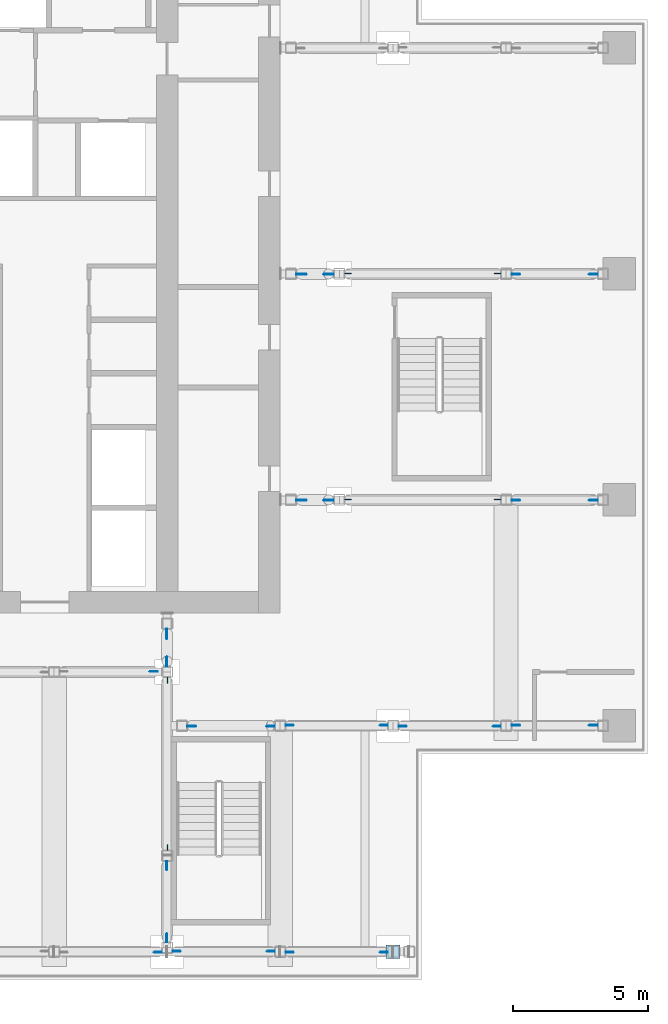
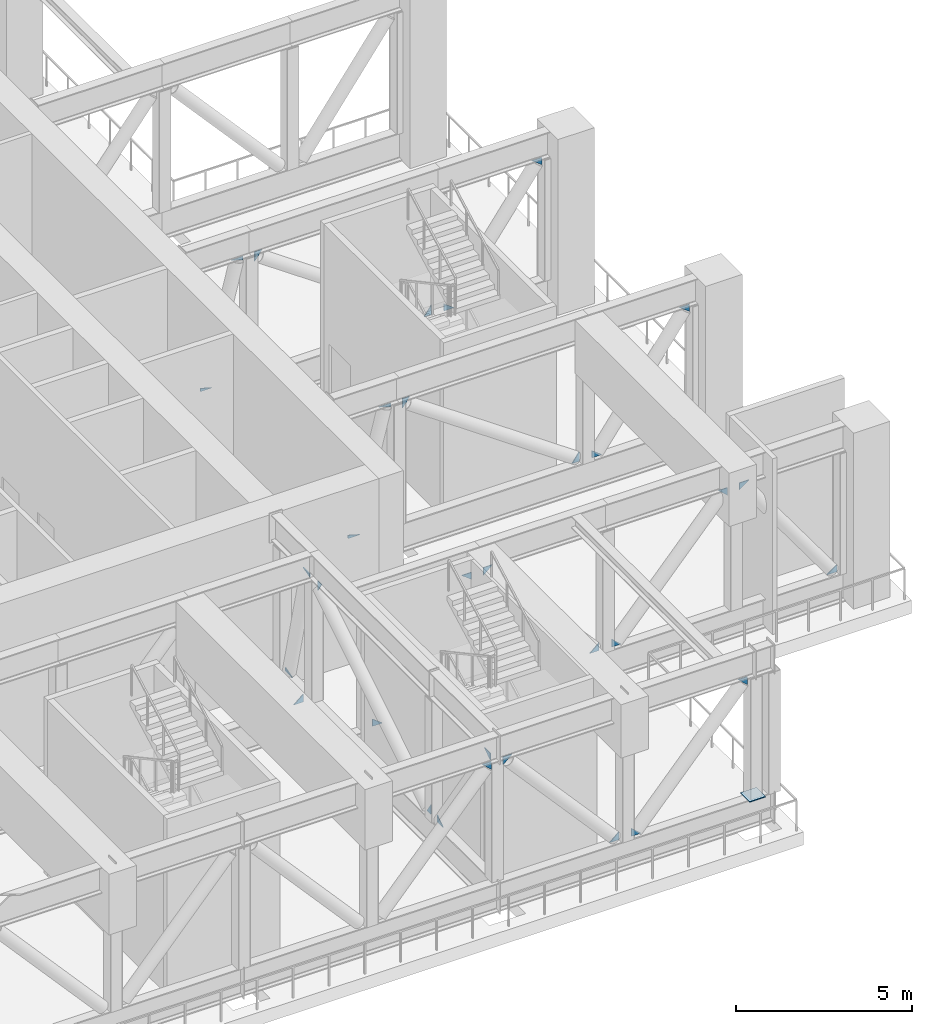
# One storey, part 13 of 23: 33 plates.
"""IFC4 building model written with IfcOpenShell, lengths in metres."""

from ifc_helpers import new_model, si_unit, direction, frame, origin, origin_2d, place, context, subcontext, project, spatial, polyline, rectangle, outline, extrude, material, layer, layer_set, type_object, element, save


model = new_model("IFC4")

# Units and contexts
model_context = context("Model", 3, precision=1e-05, world=origin(), true_north=direction((0.0, 1.0)))
body_context = subcontext(model_context, "Body", "Model", "MODEL_VIEW")
ifc_project = project(units=[si_unit("LENGTHUNIT", "METRE"), si_unit("AREAUNIT", "SQUARE_METRE"), si_unit("VOLUMEUNIT", "CUBIC_METRE"), si_unit("PLANEANGLEUNIT", "RADIAN"), si_unit("MASSUNIT", "GRAM", prefix="KILO")], contexts=[model_context])

# Site, building, storey
site_placement = place(None, origin())
site = spatial("IfcSite", under=ifc_project, at=site_placement, CompositionType="ELEMENT")
building_placement = place(site_placement, origin())
building = spatial("IfcBuilding", under=site, at=building_placement, Name="Vermilion Ogive Tower", CompositionType="ELEMENT")
storey_placement = place(building_placement, frame((0.0, 0.0, 121.800048828125)))
storey = spatial("IfcBuildingStorey", under=building, at=storey_placement, Name="L31", CompositionType="ELEMENT", Elevation=121.800048828125)

# Plates
ifc_material_1 = material(Name="Steel S355", Category="steel")
ifc_layer_1 = layer(ifc_material_1, 0.030029296875)
ifc_layer_set_1 = layer_set([ifc_layer_1], Name="Connection end plate 30")
plate_type_1 = type_object("IfcPlateType", Name="Connection end plate 30", PredefinedType="USERDEFINED", material=ifc_layer_set_1)
plate_1_placement = place(storey_placement, frame((16.800048828125, -21.0, 1.0), z_axis=(0.0, 0.0, 1.0), x_axis=(1.0, 0.0, 0.0)))
element("IfcPlate", 1, at=plate_1_placement, inside=storey, type_object=plate_type_1, Name="End plate L31-TR-BELT-P9 end 1", ObjectType="END PLATE", PredefinedType="USERDEFINED", context=body_context, shape_type="SweptSolid", body=[
    extrude(rectangle(XDim=0.52001953125, YDim=0.52001953125, at=origin_2d()), origin(), (0.0, 0.0, 1.0), 0.030029296875),
])
ifc_material_2 = material(Name="Steel S355", Category="steel")
ifc_layer_2 = layer(ifc_material_2, 0.030029296875)
ifc_layer_set_2 = layer_set([ifc_layer_2], Name="Truss gusset plate 30")
plate_type_2 = type_object("IfcPlateType", Name="Truss gusset plate 30", PredefinedType="USERDEFINED", material=ifc_layer_set_2)
plate_2_placement = place(storey_placement, frame((9.14990234375, -12.60009765625, 1.244873046875), z_axis=(0.0, 1.0, 0.0), x_axis=(0.797320293253, 0.0, -0.603556418214)))
element("IfcPlate", 2, at=plate_2_placement, inside=storey, type_object=plate_type_2, Name="Gusset plate L31-TR-EWE-12.6-D0A", ObjectType="GUSSET PLATE", PredefinedType="USERDEFINED", context=body_context, shape_type="SweptSolid", body=[
    extrude(outline(polyline([(0.0, 0.0), (0.4057169130929115, 0.0), (0.1477946990889042, 0.19524224954416555), (0.0, 0.0)])), origin(), (0.0, 0.0, -1.0), 0.030029296875),
])
plate_3_placement = place(storey_placement, frame((12.39990234375, -12.60009765625, 4.955078125), z_axis=(0.0, 1.0, 0.0), x_axis=(-0.797100929283, 0.0, 0.60384609673)))
element("IfcPlate", 3, at=plate_3_placement, inside=storey, type_object=plate_type_2, Name="Gusset plate L31-TR-EWE-12.6-D0B", ObjectType="GUSSET PLATE", PredefinedType="USERDEFINED", context=body_context, shape_type="SweptSolid", body=[
    extrude(outline(polyline([(0.0, 0.0), (0.40552228158959536, 0.0), (0.1478656335498987, 0.19518853322040466), (0.0, 0.0)])), origin(), (0.0, 0.0, -1.0), 0.030029296875),
])
plate_4_placement = place(storey_placement, frame((12.800048828125, -12.60009765625, 4.928955078125), z_axis=(0.0, -1.0, 0.0), x_axis=(0.744012068676, 0.0, 0.66816617818)))
element("IfcPlate", 4, at=plate_4_placement, inside=storey, type_object=plate_type_2, Name="Gusset plate L31-TR-EWE-12.6-D1A", ObjectType="GUSSET PLATE", PredefinedType="USERDEFINED", context=body_context, shape_type="SweptSolid", body=[
    extrude(outline(polyline([(0.0, 0.0), (0.40558187858007655, 2.7755575615628914e-17), (0.1810704242627036, 0.20162436431414565), (0.0, 0.0)])), origin(), (0.0, 0.0, -1.0), 0.030029296875),
])
for number, where, z_axis, x_axis, name in (
    (5, (16.60009765625, -12.60009765625, 1.27099609375), (0.0, -1.0, 0.0), (-0.744280627096, 0.0, -0.667867013805), "Gusset plate L31-TR-EWE-12.6-D1B"),
    (6, (17.0, -12.60009765625, 1.27099609375), (0.0, 1.0, 0.0), (0.744280627096, 0.0, -0.667867013805), "Gusset plate L31-TR-EWE-12.6-D2A"),
    (7, (20.800048828125, -12.60009765625, 4.928955078125), (0.0, 1.0, 0.0), (-0.744280627096, 0.0, 0.667867013805), "Gusset plate L31-TR-EWE-12.6-D2B"),
):
    element("IfcPlate", number, at=place(storey_placement, frame(where, z_axis=z_axis, x_axis=x_axis)), inside=storey, type_object=plate_type_2, Name=name, ObjectType="GUSSET PLATE", PredefinedType="USERDEFINED", context=body_context, shape_type="SweptSolid", body=[
        extrude(outline(polyline([(0.0, 0.0), (0.40576355494188177, 0.0), (0.18098935188567533, 0.20169714259691926), (0.0, 0.0)])), origin(), (0.0, 0.0, -1.0), 0.030029296875),
    ])
for number, where, z_axis, x_axis, name in (
    (8, (21.199951171875, -12.60009765625, 4.957763671875), (0.0, -1.0, 0.0), (0.802233221274, 0.0, 0.59701076932), "Gusset plate L31-TR-EWE-12.6-D3A"),
    (9, (24.39990234375, -12.60009765625, 1.2421875), (0.0, -1.0, 0.0), (-0.802233221274, 0.0, -0.59701076932), "Gusset plate L31-TR-EWE-12.6-D3B"),
):
    element("IfcPlate", number, at=place(storey_placement, frame(where, z_axis=z_axis, x_axis=x_axis)), inside=storey, type_object=plate_type_2, Name=name, ObjectType="GUSSET PLATE", PredefinedType="USERDEFINED", context=body_context, shape_type="SweptSolid", body=[
        extrude(outline(polyline([(0.0, 0.0), (0.4056668865048626, -2.7755575615628914e-17), (0.14458854569473698, 0.19429085827730277), (0.0, 0.0)])), origin(), (0.0, 0.0, -1.0), 0.030029296875),
    ])
plate_5_placement = place(storey_placement, frame((13.199951171875, -4.199951171875, 1.11279296875), z_axis=(0.0, 1.0, 0.0), x_axis=(0.960517690655, 0.0, -0.278218917293)))
element("IfcPlate", 10, at=plate_5_placement, inside=storey, type_object=plate_type_2, Name="Gusset plate L31-TR-EWE-4.2-D0A", ObjectType="GUSSET PLATE", PredefinedType="USERDEFINED", context=body_context, shape_type="SweptSolid", body=[
    extrude(outline(polyline([(0.0, 0.0), (0.4054108536092141, 0.0), (0.03138113764389195, 0.10833964186581745), (0.0, 0.0)])), origin(), (0.0, 0.0, -1.0), 0.030029296875),
])
plate_6_placement = place(storey_placement, frame((14.60009765625, -4.199951171875, 5.0869140625), z_axis=(0.0, 1.0, 0.0), x_axis=(-0.960403379205, 0.0, 0.27861326101)))
element("IfcPlate", 11, at=plate_6_placement, inside=storey, type_object=plate_type_2, Name="Gusset plate L31-TR-EWE-4.2-D0B", ObjectType="GUSSET PLATE", PredefinedType="USERDEFINED", context=body_context, shape_type="SweptSolid", body=[
    extrude(outline(polyline([(0.0, 0.0), (0.405713313735262, 1.3877787807814457e-17), (0.03149363765812545, 0.10856122181936981), (0.0, 0.0)])), origin(), (0.0, 0.0, -1.0), 0.030029296875),
])
for number, where, z_axis, x_axis, name in (
    (12, (15.0, -4.199951171875, 4.869140625), (0.0, -1.0, 0.0), (0.578901914613, 0.0, 0.815397187423), "Gusset plate L31-TR-EWE-4.2-D1A"),
    (13, (20.800048828125, -4.199951171875, 1.330810546875), (0.0, -1.0, 0.0), (-0.578901914613, 0.0, -0.815397187423), "Gusset plate L31-TR-EWE-4.2-D1B"),
):
    element("IfcPlate", number, at=place(storey_placement, frame(where, z_axis=z_axis, x_axis=x_axis)), inside=storey, type_object=plate_type_2, Name=name, ObjectType="GUSSET PLATE", PredefinedType="USERDEFINED", context=body_context, shape_type="SweptSolid", body=[
        extrude(outline(polyline([(0.0, 0.0), (0.40570479267966897, 0.0), (0.26974198949171224, 0.19150685896016767), (0.0, 0.0)])), origin(), (0.0, 0.0, -1.0), 0.030029296875),
    ])
for number, where, z_axis, x_axis, name in (
    (14, (21.199951171875, -4.199951171875, 1.2421875), (0.0, 1.0, 0.0), (0.802233221274, 0.0, -0.59701076932), "Gusset plate L31-TR-EWE-4.2-D2A"),
    (15, (24.39990234375, -4.199951171875, 4.957763671875), (0.0, 1.0, 0.0), (-0.802233221274, 0.0, 0.59701076932), "Gusset plate L31-TR-EWE-4.2-D2B"),
):
    element("IfcPlate", number, at=place(storey_placement, frame(where, z_axis=z_axis, x_axis=x_axis)), inside=storey, type_object=plate_type_2, Name=name, ObjectType="GUSSET PLATE", PredefinedType="USERDEFINED", context=body_context, shape_type="SweptSolid", body=[
        extrude(outline(polyline([(0.0, 0.0), (0.4056668865048626, -2.7755575615628914e-17), (0.14458854569473698, 0.19429085827730277), (0.0, 0.0)])), origin(), (0.0, 0.0, -1.0), 0.030029296875),
    ])
plate_7_placement = place(storey_placement, frame((13.199951171875, 4.199951171875, 1.11279296875), z_axis=(0.0, 1.0, 0.0), x_axis=(0.960517690655, 0.0, -0.278218917293)))
element("IfcPlate", 16, at=plate_7_placement, inside=storey, type_object=plate_type_2, Name="Gusset plate L31-TR-EWE+4.2-D0A", ObjectType="GUSSET PLATE", PredefinedType="USERDEFINED", context=body_context, shape_type="SweptSolid", body=[
    extrude(outline(polyline([(0.0, 0.0), (0.4054108536092141, 0.0), (0.03138113764389195, 0.10833964186581745), (0.0, 0.0)])), origin(), (0.0, 0.0, -1.0), 0.030029296875),
])
plate_8_placement = place(storey_placement, frame((14.60009765625, 4.199951171875, 5.0869140625), z_axis=(0.0, 1.0, 0.0), x_axis=(-0.960403379205, 0.0, 0.27861326101)))
element("IfcPlate", 17, at=plate_8_placement, inside=storey, type_object=plate_type_2, Name="Gusset plate L31-TR-EWE+4.2-D0B", ObjectType="GUSSET PLATE", PredefinedType="USERDEFINED", context=body_context, shape_type="SweptSolid", body=[
    extrude(outline(polyline([(0.0, 0.0), (0.405713313735262, 1.3877787807814457e-17), (0.03149363765812545, 0.10856122181936981), (0.0, 0.0)])), origin(), (0.0, 0.0, -1.0), 0.030029296875),
])
for number, where, z_axis, x_axis, name in (
    (18, (15.0, 4.199951171875, 4.869140625), (0.0, -1.0, 0.0), (0.578901914613, 0.0, 0.815397187423), "Gusset plate L31-TR-EWE+4.2-D1A"),
    (19, (20.800048828125, 4.199951171875, 1.330810546875), (0.0, -1.0, 0.0), (-0.578901914613, 0.0, -0.815397187423), "Gusset plate L31-TR-EWE+4.2-D1B"),
):
    element("IfcPlate", number, at=place(storey_placement, frame(where, z_axis=z_axis, x_axis=x_axis)), inside=storey, type_object=plate_type_2, Name=name, ObjectType="GUSSET PLATE", PredefinedType="USERDEFINED", context=body_context, shape_type="SweptSolid", body=[
        extrude(outline(polyline([(0.0, 0.0), (0.40570479267966897, 0.0), (0.26974198949171224, 0.19150685896016767), (0.0, 0.0)])), origin(), (0.0, 0.0, -1.0), 0.030029296875),
    ])
for number, where, z_axis, x_axis, name in (
    (20, (21.199951171875, 4.199951171875, 1.2421875), (0.0, 1.0, 0.0), (0.802233221274, 0.0, -0.59701076932), "Gusset plate L31-TR-EWE+4.2-D2A"),
    (21, (24.39990234375, 4.199951171875, 4.957763671875), (0.0, 1.0, 0.0), (-0.802233221274, 0.0, 0.59701076932), "Gusset plate L31-TR-EWE+4.2-D2B"),
):
    element("IfcPlate", number, at=place(storey_placement, frame(where, z_axis=z_axis, x_axis=x_axis)), inside=storey, type_object=plate_type_2, Name=name, ObjectType="GUSSET PLATE", PredefinedType="USERDEFINED", context=body_context, shape_type="SweptSolid", body=[
        extrude(outline(polyline([(0.0, 0.0), (0.4056668865048626, -2.7755575615628914e-17), (0.14458854569473698, 0.19429085827730277), (0.0, 0.0)])), origin(), (0.0, 0.0, -1.0), 0.030029296875),
    ])
plate_9_placement = place(storey_placement, frame((8.39990234375, -9.0, 1.11279296875), z_axis=(1.0, 0.0, 0.0), x_axis=(0.0, -0.960517690655, -0.278218917293)))
element("IfcPlate", 22, at=plate_9_placement, inside=storey, type_object=plate_type_2, Name="Gusset plate L31-TR-NS+8.4-D0A", ObjectType="GUSSET PLATE", PredefinedType="USERDEFINED", context=body_context, shape_type="SweptSolid", body=[
    extrude(outline(polyline([(0.0, 0.0), (0.4054108536092141, 0.0), (0.03138113764389195, 0.10833964186581745), (0.0, 0.0)])), origin(), (0.0, 0.0, -1.0), 0.030029296875),
])
plate_10_placement = place(storey_placement, frame((8.39990234375, -10.39990234375, 5.0869140625), z_axis=(1.0, 0.0, 0.0), x_axis=(0.0, 0.960356627122, 0.278774368876)))
element("IfcPlate", 23, at=plate_10_placement, inside=storey, type_object=plate_type_2, Name="Gusset plate L31-TR-NS+8.4-D0B", ObjectType="GUSSET PLATE", PredefinedType="USERDEFINED", context=body_context, shape_type="SweptSolid", body=[
    extrude(outline(polyline([(0.0, 0.0), (0.40547884595940253, 0.0), (0.03151184882561054, 0.10855593709902552), (0.0, 0.0)])), origin(), (0.0, 0.0, -1.0), 0.030029296875),
])
plate_11_placement = place(storey_placement, frame((8.39990234375, -10.800048828125, 4.857666015625), z_axis=(-1.0, 0.0, 0.0), x_axis=(0.0, -0.536797611065, 0.8437110434)))
element("IfcPlate", 24, at=plate_11_placement, inside=storey, type_object=plate_type_2, Name="Gusset plate L31-TR-NS+8.4-D1A", ObjectType="GUSSET PLATE", PredefinedType="USERDEFINED", context=body_context, shape_type="SweptSolid", body=[
    extrude(outline(polyline([(0.0, 0.0), (0.40569002732339055, 0.0), (0.28878976632002606, 0.18373785417793384), (0.0, 0.0)])), origin(), (0.0, 0.0, -1.0), 0.030029296875),
])
plate_12_placement = place(storey_placement, frame((8.39990234375, -17.2333984375, 1.34228515625), z_axis=(-1.0, 0.0, 0.0), x_axis=(0.0, 0.537225787468, -0.843438470358)))
element("IfcPlate", 25, at=plate_12_placement, inside=storey, type_object=plate_type_2, Name="Gusset plate L31-TR-NS+8.4-D1B", ObjectType="GUSSET PLATE", PredefinedType="USERDEFINED", context=body_context, shape_type="SweptSolid", body=[
    extrude(outline(polyline([(0.0, 0.0), (0.4058211337037259, 0.0), (0.28869646861373216, 0.18388441260489502), (0.0, 0.0)])), origin(), (0.0, 0.0, -1.0), 0.030029296875),
])
plate_13_placement = place(storey_placement, frame((8.39990234375, -17.63330078125, 1.23193359375), z_axis=(1.0, 0.0, 0.0), x_axis=(0.0, -0.820389610622, -0.571804937704)))
element("IfcPlate", 26, at=plate_13_placement, inside=storey, type_object=plate_type_2, Name="Gusset plate L31-TR-NS+8.4-D2A", ObjectType="GUSSET PLATE", PredefinedType="USERDEFINED", context=body_context, shape_type="SweptSolid", body=[
    extrude(outline(polyline([(0.0, 0.0), (0.4056166333245257, 0.0), (0.13262077412577702, 0.19027591066677274), (0.0, 0.0)])), origin(), (0.0, 0.0, -1.0), 0.030029296875),
])
plate_14_placement = place(storey_placement, frame((8.39990234375, -20.64990234375, 4.9677734375), z_axis=(1.0, 0.0, 0.0), x_axis=(0.0, 0.819910100272, 0.572492294683)))
element("IfcPlate", 27, at=plate_14_placement, inside=storey, type_object=plate_type_2, Name="Gusset plate L31-TR-NS+8.4-D2B", ObjectType="GUSSET PLATE", PredefinedType="USERDEFINED", context=body_context, shape_type="SweptSolid", body=[
    extrude(outline(polyline([(0.0, 0.0), (0.40555608613634164, 2.7755575615628914e-17), (0.1329199639267293, 0.1903648694723505), (0.0, 0.0)])), origin(), (0.0, 0.0, -1.0), 0.030029296875),
])
for number, where, z_axis, x_axis, name in (
    (28, (8.199951171875, -21.0, 4.928955078125), (0.0, 1.0, 0.0), (-0.744012068676, 0.0, 0.66816617818), "Gusset plate L31-TR-BELT-D6B"),
    (29, (8.60009765625, -21.0, 4.928955078125), (0.0, -1.0, 0.0), (0.744012068676, 0.0, 0.66816617818), "Gusset plate L31-TR-BELT-D7A"),
    (30, (12.39990234375, -21.0, 1.27099609375), (0.0, -1.0, 0.0), (-0.744012068676, 0.0, -0.66816617818), "Gusset plate L31-TR-BELT-D7B"),
    (31, (12.800048828125, -21.0, 1.27099609375), (0.0, 1.0, 0.0), (0.744012068676, 0.0, -0.66816617818), "Gusset plate L31-TR-BELT-D8A"),
):
    element("IfcPlate", number, at=place(storey_placement, frame(where, z_axis=z_axis, x_axis=x_axis)), inside=storey, type_object=plate_type_2, Name=name, ObjectType="GUSSET PLATE", PredefinedType="USERDEFINED", context=body_context, shape_type="SweptSolid", body=[
        extrude(outline(polyline([(0.0, 0.0), (0.40558187858007655, 2.7755575615628914e-17), (0.1810704242627036, 0.20162436431414565), (0.0, 0.0)])), origin(), (0.0, 0.0, -1.0), 0.030029296875),
    ])
plate_15_placement = place(storey_placement, frame((16.60009765625, -21.0, 4.928955078125), z_axis=(0.0, 1.0, 0.0), x_axis=(-0.744280627096, 0.0, 0.667867013805)))
element("IfcPlate", 32, at=plate_15_placement, inside=storey, type_object=plate_type_2, Name="Gusset plate L31-TR-BELT-D8B", ObjectType="GUSSET PLATE", PredefinedType="USERDEFINED", context=body_context, shape_type="SweptSolid", body=[
    extrude(outline(polyline([(0.0, 0.0), (0.40576355494188177, 0.0), (0.18098935188567533, 0.20169714259691926), (0.0, 0.0)])), origin(), (0.0, 0.0, -1.0), 0.030029296875),
])
plate_16_placement = place(storey_placement, frame((8.050048828125, -10.60009765625, 1.264404296875), z_axis=(0.0, -1.0, 0.0), x_axis=(-0.758619249048, 0.0, -0.651534216272)))
element("IfcPlate", 33, at=plate_16_placement, inside=storey, type_object=plate_type_2, Name="Gusset plate L31-TR-RING0-D3B", ObjectType="GUSSET PLATE", PredefinedType="USERDEFINED", context=body_context, shape_type="SweptSolid", body=[
    extrude(outline(polyline([(0.0, 0.0), (0.4058179758966476, 2.7755575615628914e-17), (0.1722684463434599, 0.20058218914044593), (0.0, 0.0)])), origin(), (0.0, 0.0, -1.0), 0.030029296875),
])

save(model, "model.ifc")
